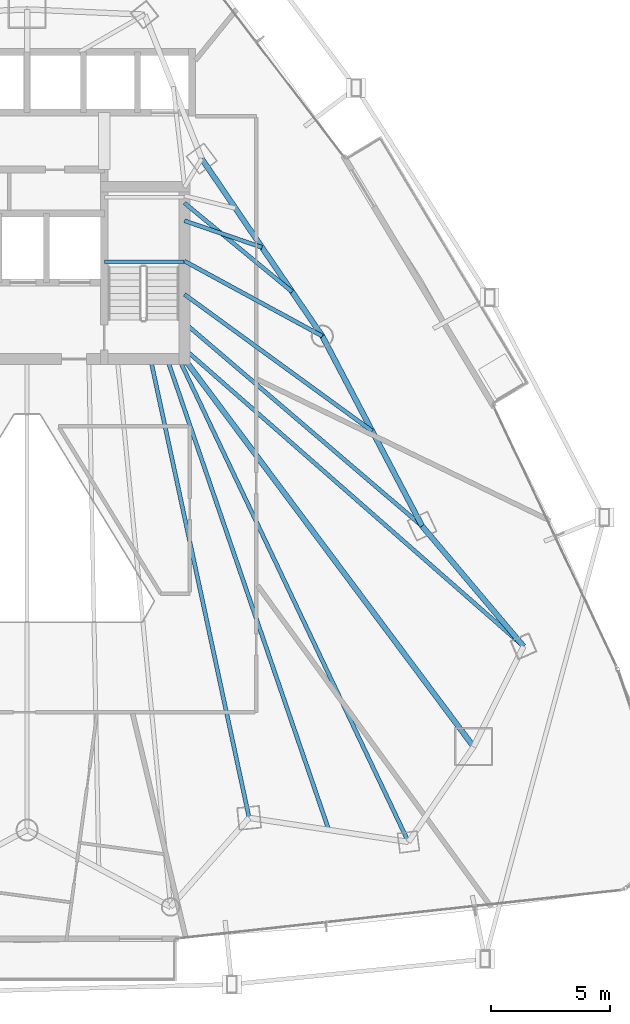
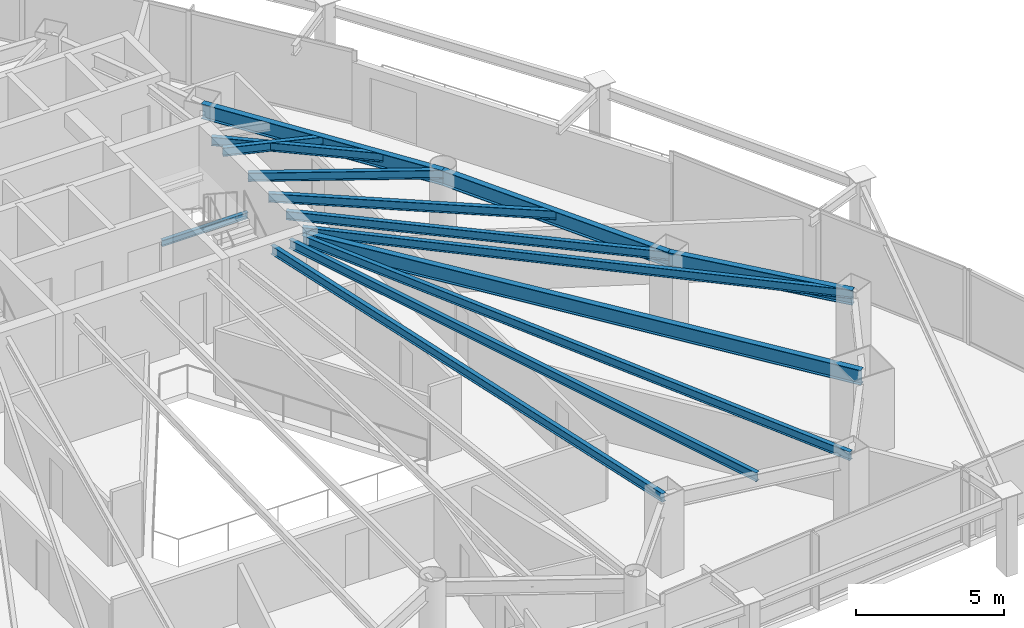
# One storey, part 18 of 33: 14 beams.
"""IFC4 building model written with IfcOpenShell, lengths in metres."""

from ifc_helpers import new_model, si_unit, direction, frame, origin, origin_2d, place, context, subcontext, project, spatial, i_section, extrude, material, material_profile, profile_set, type_object, element, save


model = new_model("IFC4")

# Units and contexts
model_context = context("Model", 3, precision=1e-05, world=origin(), true_north=direction((0.0, 1.0)))
body_context = subcontext(model_context, "Body", "Model", "MODEL_VIEW")
ifc_project = project(units=[si_unit("LENGTHUNIT", "METRE"), si_unit("AREAUNIT", "SQUARE_METRE"), si_unit("VOLUMEUNIT", "CUBIC_METRE"), si_unit("PLANEANGLEUNIT", "RADIAN"), si_unit("MASSUNIT", "GRAM", prefix="KILO")], contexts=[model_context])

# Site, building, storey
site_placement = place(None, origin())
site = spatial("IfcSite", under=ifc_project, at=site_placement, CompositionType="ELEMENT")
building_placement = place(site_placement, origin())
building = spatial("IfcBuilding", under=site, at=building_placement, Name="Orvanel Arch Residences", CompositionType="ELEMENT")
storey_placement = place(building_placement, frame((0.0, 0.0, 87.35009765625)))
storey = spatial("IfcBuildingStorey", under=building, at=storey_placement, Name="L24", CompositionType="ELEMENT", Elevation=87.35009765625)

# Beams
ifc_material = material(Name="Structural steel AS/NZS 3679.1 Grade 300 (300 MPa)", Category="steel")
ifc_material_profile_1 = material_profile(ifc_material, i_section(OverallWidth=0.22900390625, OverallDepth=0.612060546875, WebThickness=0.011962890625, FlangeThickness=0.01953125, at=origin_2d()), Name="610UB125")
ifc_profile_set_1 = profile_set([ifc_material_profile_1], Name="Structural steel AS/NZS 3679.1 Grade 300 (300 MPa)")
beam_type_1 = type_object("IfcBeamType", Name="BG-610UB", PredefinedType="BEAM", material=ifc_profile_set_1)
beam_1_placement = place(storey_placement, frame((39.625, 26.675048828125, 2.75390625), z_axis=(0.597893733742, -0.801575375839, 0.0), x_axis=(0.801575375839, 0.597893733742, 0.0)))
element("IfcBeam", 1, at=beam_1_placement, inside=storey, type_object=beam_type_1, Name="L24 South-East Radial Girder", PredefinedType="BEAM", context=body_context, shape_type="SweptSolid", body=[
    extrude(i_section(OverallWidth=0.22900390625, OverallDepth=0.612060546875, WebThickness=0.011962890625, FlangeThickness=0.01953125, at=origin_2d()), origin(), (0.0, 0.0, 1.0), 20.36474609375),
])
ifc_material_profile_2 = material_profile(ifc_material, i_section(OverallWidth=0.14599609375, OverallDepth=0.251953125, WebThickness=0.006103515625, FlangeThickness=0.008544921875, at=origin_2d()), Name="250UB31.4")
ifc_profile_set_2 = profile_set([ifc_material_profile_2], Name="Structural steel AS/NZS 3679.1 Grade 300 (300 MPa)")
beam_type_2 = type_object("IfcBeamType", Name="BJ-250UB", PredefinedType="JOIST", material=ifc_profile_set_2)
beam_2_placement = place(storey_placement, frame((36.25, 30.780029296875, 1.323974609375), z_axis=(1.0, 0.0, 0.0), x_axis=(0.0, 1.0, 0.0)))
element("IfcBeam", 2, at=beam_2_placement, inside=storey, type_object=beam_type_2, Name="L24 ST-2 Half-Landing Support Beam 1.1", PredefinedType="JOIST", context=body_context, shape_type="SweptSolid", body=[
    extrude(i_section(OverallWidth=0.14599609375, OverallDepth=0.251953125, WebThickness=0.006103515625, FlangeThickness=0.008544921875, at=origin_2d()), origin(), (0.0, 0.0, 1.0), 3.35009765625),
])
ifc_material_profile_3 = material_profile(ifc_material, i_section(OverallWidth=0.1708984375, OverallDepth=0.35595703125, WebThickness=0.00732421875, FlangeThickness=0.011474609375, at=origin_2d()), Name="360UB50.7")
ifc_profile_set_3 = profile_set([ifc_material_profile_3], Name="Structural steel AS/NZS 3679.1 Grade 300 (300 MPa)")
beam_type_3 = type_object("IfcBeamType", Name="BJ-360UB", PredefinedType="JOIST", material=ifc_profile_set_3)
beam_3_placement = place(storey_placement, frame((39.625, 30.800048828125, 2.8818359375), z_axis=(0.878399029914, -0.477927969726, 0.0), x_axis=(0.477927969726, 0.878399029914, 0.0)))
element("IfcBeam", 3, at=beam_3_placement, inside=storey, type_object=beam_type_3, Name="L24 NE Wing Floor Joist", PredefinedType="JOIST", context=body_context, shape_type="SweptSolid", body=[
    extrude(i_section(OverallWidth=0.1708984375, OverallDepth=0.35595703125, WebThickness=0.00732421875, FlangeThickness=0.011474609375, at=origin_2d()), origin(), (0.0, 0.0, 1.0), 6.609619140625),
])
beam_4_placement = place(storey_placement, frame((39.625, 28.199951171875, 2.8818359375), z_axis=(0.760024297953, -0.649894658018, 0.0), x_axis=(0.649894658018, 0.760024297953, 0.0)))
element("IfcBeam", 4, at=beam_4_placement, inside=storey, type_object=beam_type_3, Name="L24 E Wing Floor Joist", PredefinedType="JOIST", context=body_context, shape_type="SweptSolid", body=[
    extrude(i_section(OverallWidth=0.1708984375, OverallDepth=0.35595703125, WebThickness=0.00732421875, FlangeThickness=0.011474609375, at=origin_2d()), origin(), (0.0, 0.0, 1.0), 13.16796875),
])
beam_5_placement = place(storey_placement, frame((38.199951171875, 26.675048828125, 2.8818359375), z_axis=(0.210066515515, -0.977687096703, 0.0), x_axis=(0.977687096703, 0.210066515515, 0.0)))
element("IfcBeam", 5, at=beam_5_placement, inside=storey, type_object=beam_type_3, Name="L24 SE Wing Floor Joist", PredefinedType="JOIST", context=body_context, shape_type="SweptSolid", body=[
    extrude(i_section(OverallWidth=0.1708984375, OverallDepth=0.35595703125, WebThickness=0.00732421875, FlangeThickness=0.011474609375, at=origin_2d()), origin(), (0.0, 0.0, 1.0), 19.760986328125),
])
beam_6_placement = place(storey_placement, frame((39.625, 32.5, 2.8818359375), z_axis=(0.945658073701, -0.325162740247, 0.0), x_axis=(0.325162740247, 0.945658073701, 0.0)))
element("IfcBeam", 6, at=beam_6_placement, inside=storey, type_object=beam_type_3, Name="L24 ENE Wing Floor Joist", PredefinedType="JOIST", context=body_context, shape_type="SweptSolid", body=[
    extrude(i_section(OverallWidth=0.1708984375, OverallDepth=0.35595703125, WebThickness=0.00732421875, FlangeThickness=0.011474609375, at=origin_2d()), origin(), (0.0, 0.0, 1.0), 3.453857421875),
])
beam_7_placement = place(storey_placement, frame((39.625, 27.10009765625, 2.8818359375), z_axis=(0.751924114057, -0.659249669472, 0.0), x_axis=(0.659249669472, 0.751924114057, 0.0)))
element("IfcBeam", 7, at=beam_7_placement, inside=storey, type_object=beam_type_3, Name="L24 ME Wing Floor Joist", PredefinedType="JOIST", context=body_context, shape_type="SweptSolid", body=[
    extrude(i_section(OverallWidth=0.1708984375, OverallDepth=0.35595703125, WebThickness=0.00732421875, FlangeThickness=0.011474609375, at=origin_2d()), origin(), (0.0, 0.0, 1.0), 18.9912109375),
])
beam_8_placement = place(storey_placement, frame((39.39990234375, 26.675048828125, 2.8818359375), z_axis=(0.429042657795, -0.903284228686, 0.0), x_axis=(0.903284228686, 0.429042657795, 0.0)))
element("IfcBeam", 8, at=beam_8_placement, inside=storey, type_object=beam_type_3, Name="L24 MSE Wing Floor Joist", PredefinedType="JOIST", context=body_context, shape_type="SweptSolid", body=[
    extrude(i_section(OverallWidth=0.1708984375, OverallDepth=0.35595703125, WebThickness=0.00732421875, FlangeThickness=0.011474609375, at=origin_2d()), origin(), (0.0, 0.0, 1.0), 22.513427734375),
])
beam_9_placement = place(storey_placement, frame((39.625, 33.25, 2.8818359375), z_axis=(0.771468562814, -0.636267441089, 0.0), x_axis=(0.636267441089, 0.771468562814, 0.0)))
element("IfcBeam", 9, at=beam_9_placement, inside=storey, type_object=beam_type_3, Name="L24 LE Wing Floor Joist", PredefinedType="JOIST", context=body_context, shape_type="SweptSolid", body=[
    extrude(i_section(OverallWidth=0.1708984375, OverallDepth=0.35595703125, WebThickness=0.00732421875, FlangeThickness=0.011474609375, at=origin_2d()), origin(), (0.0, 0.0, 1.0), 5.879638671875),
])
beam_10_placement = place(storey_placement, frame((39.625, 29.39990234375, 2.8818359375), z_axis=(0.808381909511, -0.588658380026, 0.0), x_axis=(0.588658380026, 0.808381909511, 0.0)))
element("IfcBeam", 10, at=beam_10_placement, inside=storey, type_object=beam_type_3, Name="L24 CTE Wing Floor Joist", PredefinedType="JOIST", context=body_context, shape_type="SweptSolid", body=[
    extrude(i_section(OverallWidth=0.1708984375, OverallDepth=0.35595703125, WebThickness=0.00732421875, FlangeThickness=0.011474609375, at=origin_2d()), origin(), (0.0, 0.0, 1.0), 9.78125),
])
beam_11_placement = place(storey_placement, frame((38.89990234375, 26.675048828125, 2.8818359375), z_axis=(0.324621456495, -0.945844019901, 0.0), x_axis=(0.945844019901, 0.324621456495, 0.0)))
element("IfcBeam", 11, at=beam_11_placement, inside=storey, type_object=beam_type_3, Name="L24 JADD2 Wing Floor Joist", PredefinedType="JOIST", context=body_context, shape_type="SweptSolid", body=[
    extrude(i_section(OverallWidth=0.1708984375, OverallDepth=0.35595703125, WebThickness=0.00732421875, FlangeThickness=0.011474609375, at=origin_2d()), origin(), (0.0, 0.0, 1.0), 20.96337890625),
])
ifc_material_profile_4 = material_profile(ifc_material, i_section(OverallWidth=0.22900390625, OverallDepth=0.612060546875, WebThickness=0.011962890625, FlangeThickness=0.01953125, at=origin_2d()), Name="610UB125")
ifc_profile_set_4 = profile_set([ifc_material_profile_4], Name="Structural steel AS/NZS 3679.1 Grade 300 (300 MPa)")
beam_type_4 = type_object("IfcBeamType", Name="SP-610UB", PredefinedType="SPANDREL", material=ifc_profile_set_4)
beam_12_placement = place(storey_placement, frame((53.905029296875, 14.580078125, 2.75390625), z_axis=(-0.644950329775, 0.764224490659, 0.0), x_axis=(-0.764224490659, -0.644950329775, 0.0)))
element("IfcBeam", 12, at=beam_12_placement, inside=storey, type_object=beam_type_4, Name="L24 Perimeter Spandrel Beam 12", PredefinedType="SPANDREL", context=body_context, shape_type="SweptSolid", body=[
    extrude(i_section(OverallWidth=0.22900390625, OverallDepth=0.612060546875, WebThickness=0.011962890625, FlangeThickness=0.01953125, at=origin_2d()), origin(), (0.0, 0.0, 1.0), 6.623779296875),
])
beam_13_placement = place(storey_placement, frame((49.633056640625, 19.64208984375, 2.75390625), z_axis=(-0.465064762793, 0.885276660942, 0.0), x_axis=(-0.885276660942, -0.465064762793, 0.0)))
element("IfcBeam", 13, at=beam_13_placement, inside=storey, type_object=beam_type_4, Name="L24 Perimeter Spandrel Beam 13", PredefinedType="SPANDREL", context=body_context, shape_type="SweptSolid", body=[
    extrude(i_section(OverallWidth=0.22900390625, OverallDepth=0.612060546875, WebThickness=0.011962890625, FlangeThickness=0.01953125, at=origin_2d()), origin(), (0.0, 0.0, 1.0), 9.03564453125),
])
beam_14_placement = place(storey_placement, frame((45.430908203125, 27.64111328125, 2.75390625), z_axis=(-0.562154793153, 0.827032035978, 0.0), x_axis=(-0.827032035978, -0.562154793153, 0.0)))
element("IfcBeam", 14, at=beam_14_placement, inside=storey, type_object=beam_type_4, Name="L24 Perimeter Spandrel Beam 14", PredefinedType="SPANDREL", context=body_context, shape_type="SweptSolid", body=[
    extrude(i_section(OverallWidth=0.22900390625, OverallDepth=0.612060546875, WebThickness=0.011962890625, FlangeThickness=0.01953125, at=origin_2d()), origin(), (0.0, 0.0, 1.0), 9.03466796875),
])

save(model, "model.ifc")
